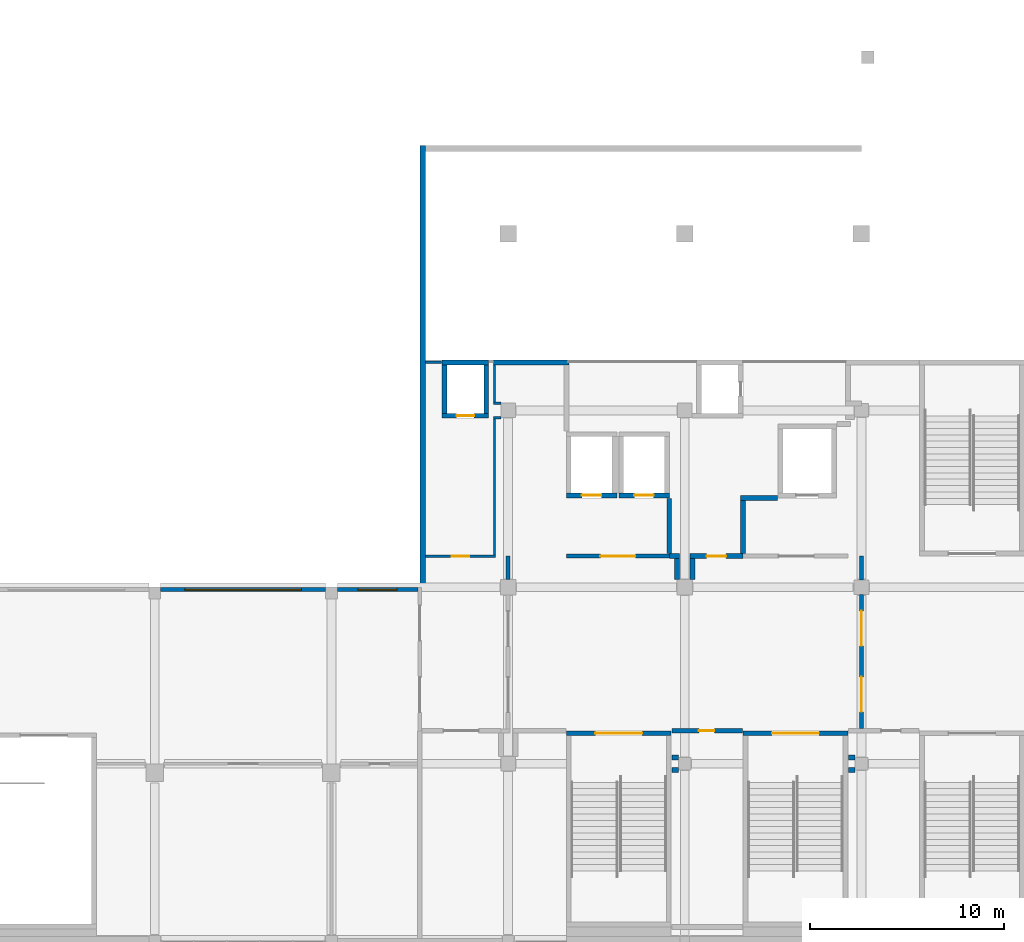
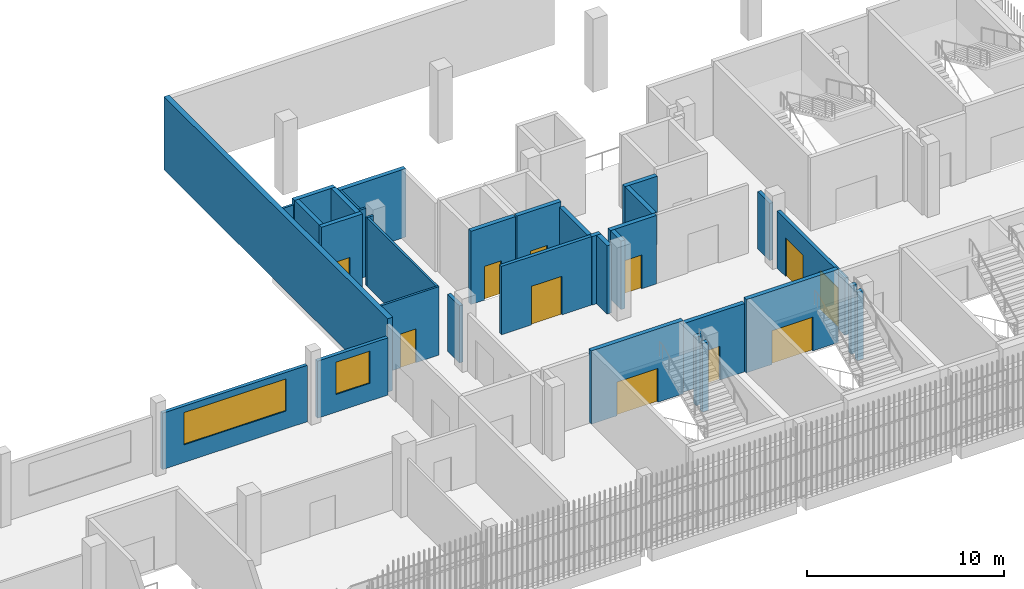
# One storey, part 58 of 104: 34 walls, 11 doors, 2 windows, 13 openings.
"""IFC4 building model written with IfcOpenShell, lengths in metres."""

from ifc_helpers import new_model, si_unit, direction, frame, frame_2d, origin, place, context, subcontext, project, spatial, rectangle, extrude, material, layer, layer_set, type_object, element, fill, save


model = new_model("IFC4")

# Units and contexts
model_context = context("Model", 3, precision=1e-05, world=origin(), true_north=direction((0.0, 1.0)))
body_context = subcontext(model_context, "Body", "Model", "MODEL_VIEW")
ifc_project = project(units=[si_unit("LENGTHUNIT", "METRE"), si_unit("AREAUNIT", "SQUARE_METRE"), si_unit("VOLUMEUNIT", "CUBIC_METRE"), si_unit("PLANEANGLEUNIT", "RADIAN"), si_unit("MASSUNIT", "GRAM", prefix="KILO")], contexts=[model_context])

# Site, building, storey
site_placement = place(None, origin())
site = spatial("IfcSite", under=ifc_project, at=site_placement, CompositionType="ELEMENT")
building_placement = place(site_placement, origin())
building = spatial("IfcBuilding", under=site, at=building_placement, Name="Shirokan Park Arena", CompositionType="ELEMENT")
storey_placement = place(building_placement, frame((0.0, 0.0, 10.919921875)))
storey = spatial("IfcBuildingStorey", under=building, at=storey_placement, Name="L02", CompositionType="ELEMENT", Elevation=10.919921875)

# Wall, opening, window
ifc_material_1 = material(Name="Cedar timber lining", Category="wood")
ifc_layer_1 = layer(ifc_material_1, 0.02001953125, Name="Cedar timber lining")
ifc_material_2 = material(Name="Plywood", Category="wood")
ifc_layer_2 = layer(ifc_material_2, 0.01806640625, Name="Plywood")
ifc_material_3 = material(Name="Mineral wool insulation")
ifc_layer_3 = layer(ifc_material_3, 0.14208984375, Name="Mineral wool insulation")
ifc_material_4 = material(Name="Gypsum board")
ifc_layer_4 = layer(ifc_material_4, 0.02001953125, Name="Gypsum board")
ifc_layer_set_1 = layer_set([ifc_layer_1, ifc_layer_2, ifc_layer_3, ifc_layer_4], Name="Cedar timber lining + Plywood + Mineral wool insulation + Gypsum board")
wall_type_1 = type_object("IfcWallType", Name="Bowl front wall 200", PredefinedType="PARTITIONING", material=ifc_layer_set_1)
wall_1_placement = place(storey_placement, frame((91.300048828125, 18.070068359375, 0.0), z_axis=(0.0, 0.0, 1.0), x_axis=(1.0, 0.0, 0.0)))
wall_1 = element("IfcWall", 1, at=wall_1_placement, inside=storey, type_object=wall_type_1, Name="Bowl front wall 200 L02", PredefinedType="PARTITIONING", context=body_context, shape_type="SweptSolid", body=[
    extrude(rectangle(XDim=8.5, YDim=0.199951171875, at=frame_2d((4.25, 0.0))), origin(), (0.0, 0.0, 1.0), 3.5),
])
opening_1_placement = place(wall_1_placement, frame((1.25, 0.0, 1.10009765625)))
opening_1 = element("IfcOpeningElement", 2, at=opening_1_placement, cuts=wall_1, Name="Opening W6", PredefinedType="OPENING", context=body_context, shape_type="SweptSolid", body=[
    extrude(rectangle(XDim=6.0, YDim=2.0, at=frame_2d((3.0, 1.0))), frame((0.0, 0.10986328125, 0.0), z_axis=(0.0, -1.0, 0.0), x_axis=(1.0, 0.0, 0.0)), (0.0, 0.0, 1.0), 0.219970703125),
])
ifc_material_5 = material(Name="Aluminium frame with laminated glass", Category="aluminium")
window_type_1 = type_object("IfcWindowType", Name="Lounge viewing window 6000 x 2000", PartitioningType="SINGLE_PANEL", PredefinedType="WINDOW", material=ifc_material_5)
window_1_placement = place(opening_1_placement, origin())
window_1 = element("IfcWindow", 3, at=window_1_placement, inside=storey, type_object=window_type_1, Name="Lounge viewing window 6000 x 2000 L02", OverallHeight=2.0, OverallWidth=6.0, PartitioningType="SINGLE_PANEL", PredefinedType="WINDOW", context=body_context, shape_type="SweptSolid", body=[
    extrude(rectangle(XDim=6.0, YDim=2.0, at=frame_2d((3.0, 1.0))), frame((0.0, 0.030029296875, 0.0), z_axis=(0.0, -1.0, 0.0), x_axis=(1.0, 0.0, 0.0)), (0.0, 0.0, 1.0), 0.06005859375),
])
fill(opening_1, window_1)

wall_2_placement = place(storey_placement, frame((100.39990234375, 18.070068359375, 0.0), z_axis=(0.0, 0.0, 1.0), x_axis=(1.0, 0.0, 0.0)))
wall_2 = element("IfcWall", 4, at=wall_2_placement, inside=storey, type_object=wall_type_1, Name="Bowl front wall 200 L02", PredefinedType="PARTITIONING", context=body_context, shape_type="SweptSolid", body=[
    extrude(rectangle(XDim=4.150146484375, YDim=0.199951171875, at=frame_2d((2.0751953125, 0.0))), origin(), (0.0, 0.0, 1.0), 3.550048828125),
])
opening_2_placement = place(wall_2_placement, frame((1.074951171875, 0.0, 1.10009765625)))
opening_2 = element("IfcOpeningElement", 5, at=opening_2_placement, cuts=wall_2, Name="Opening W5", PredefinedType="OPENING", context=body_context, shape_type="SweptSolid", body=[
    extrude(rectangle(XDim=2.0, YDim=2.0, at=frame_2d((1.0, 1.0))), frame((0.0, 0.10986328125, 0.0), z_axis=(0.0, -1.0, 0.0), x_axis=(1.0, 0.0, 0.0)), (0.0, 0.0, 1.0), 0.219970703125),
])
window_type_2 = type_object("IfcWindowType", Name="Lounge viewing window 2000 x 2000", PartitioningType="SINGLE_PANEL", PredefinedType="WINDOW", material=ifc_material_5)
window_2_placement = place(opening_2_placement, origin())
window_2 = element("IfcWindow", 6, at=window_2_placement, inside=storey, type_object=window_type_2, Name="Lounge viewing window 2000 x 2000 L02", OverallHeight=2.0, OverallWidth=2.0, PartitioningType="SINGLE_PANEL", PredefinedType="WINDOW", context=body_context, shape_type="SweptSolid", body=[
    extrude(rectangle(XDim=2.0, YDim=2.0, at=frame_2d((1.0, 1.0))), frame((0.0, 0.030029296875, 0.0), z_axis=(0.0, -1.0, 0.0), x_axis=(1.0, 0.0, 0.0)), (0.0, 0.0, 1.0), 0.06005859375),
])
fill(opening_2, window_2)

# Walls
ifc_material_6 = material(Name="Plaster")
ifc_layer_5 = layer(ifc_material_6, 0.014892578125, Name="Plaster")
ifc_material_7 = material(Name="Concrete blockwork", Category="masonry")
ifc_layer_6 = layer(ifc_material_7, 0.219970703125, Name="Concrete blockwork 220")
ifc_layer_7 = layer(ifc_material_6, 0.014892578125, Name="Plaster")
ifc_layer_set_2 = layer_set([ifc_layer_5, ifc_layer_6, ifc_layer_7], Name="Plaster + Concrete blockwork 220")
wall_type_2 = type_object("IfcWallType", Name="Compartment wall 250", PredefinedType="SOLIDWALL", material=ifc_layer_set_2)
wall_3_placement = place(storey_placement, frame((112.324951171875, 29.77490234375, 0.0), z_axis=(0.0, 0.0, 1.0), x_axis=(-1.0, 0.0, 0.0)))
element("IfcWall", 7, at=wall_3_placement, inside=storey, type_object=wall_type_2, Name="Compartment wall 250 L02", PredefinedType="SOLIDWALL", context=body_context, shape_type="SweptSolid", body=[
    extrude(rectangle(XDim=3.887451171875, YDim=0.25, at=frame_2d((1.94384765625, 0.0))), origin(), (0.0, 0.0, 1.0), 4.25),
])
wall_4_placement = place(storey_placement, frame((117.5, 19.800048828125, 0.0), z_axis=(0.0, 0.0, 1.0), x_axis=(1.0, 0.0, 0.0)))
element("IfcWall", 8, at=wall_4_placement, inside=storey, type_object=wall_type_2, Name="Compartment wall 250 L02", PredefinedType="SOLIDWALL", context=body_context, shape_type="SweptSolid", body=[
    extrude(rectangle(XDim=0.52490234375, YDim=0.25, at=frame_2d((0.262451171875, 0.0))), origin(), (0.0, 0.0, 1.0), 4.25),
])
wall_5_placement = place(storey_placement, frame((117.5, 19.925048828125, 0.0), z_axis=(0.0, 0.0, 1.0), x_axis=(0.0, 1.0, 0.0)))
element("IfcWall", 9, at=wall_5_placement, inside=storey, type_object=wall_type_2, Name="Compartment wall 250 L02", PredefinedType="SOLIDWALL", context=body_context, shape_type="SweptSolid", body=[
    extrude(rectangle(XDim=2.844970703125, YDim=0.25, at=frame_2d((1.42236328125, 0.0))), origin(), (0.0, 0.0, 1.0), 4.25),
])
wall_6_placement = place(storey_placement, frame((117.6298828125, 8.77490234375, 0.0), z_axis=(0.0, 0.0, 1.0), x_axis=(1.0, 0.0, 0.0)))
element("IfcWall", 10, at=wall_6_placement, inside=storey, type_object=wall_type_2, Name="Compartment wall 250 L02", PredefinedType="SOLIDWALL", context=body_context, shape_type="SweptSolid", body=[
    extrude(rectangle(XDim=0.34521484375, YDim=0.25, at=frame_2d((0.172607421875, 0.0))), origin(), (0.0, 0.0, 1.0), 4.25),
])
wall_7_placement = place(storey_placement, frame((117.89990234375, 19.675048828125, 0.0), z_axis=(0.0, 0.0, 1.0), x_axis=(0.0, -1.0, 0.0)))
element("IfcWall", 11, at=wall_7_placement, inside=storey, type_object=wall_type_2, Name="Compartment wall 250 L02", PredefinedType="SOLIDWALL", context=body_context, shape_type="SweptSolid", body=[
    extrude(rectangle(XDim=1.074951171875, YDim=0.25, at=frame_2d((0.53759765625, 0.0))), origin(), (0.0, 0.0, 1.0), 4.25),
])
wall_8_placement = place(storey_placement, frame((117.97509765625, 9.425048828125, 0.0), z_axis=(0.0, 0.0, 1.0), x_axis=(-1.0, 0.0, 0.0)))
element("IfcWall", 12, at=wall_8_placement, inside=storey, type_object=wall_type_2, Name="Compartment wall 250 L02", PredefinedType="SOLIDWALL", context=body_context, shape_type="SweptSolid", body=[
    extrude(rectangle(XDim=0.34521484375, YDim=0.25, at=frame_2d((0.172607421875, 0.0))), origin(), (0.0, 0.0, 1.0), 4.25),
])

# Wall, opening, door
wall_9_placement = place(storey_placement, frame((118.574951171875, 19.800048828125, 0.0), z_axis=(0.0, 0.0, 1.0), x_axis=(1.0, 0.0, 0.0)))
wall_9 = element("IfcWall", 13, at=wall_9_placement, inside=storey, type_object=wall_type_2, Name="Compartment wall 250 L02", PredefinedType="SOLIDWALL", context=body_context, shape_type="SweptSolid", body=[
    extrude(rectangle(XDim=2.72509765625, YDim=0.25, at=frame_2d((1.362548828125, 0.0))), origin(), (0.0, 0.0, 1.0), 4.25),
])
opening_3_placement = place(wall_9_placement, frame((0.85009765625, 0.0, 0.0)))
opening_3 = element("IfcOpeningElement", 14, at=opening_3_placement, cuts=wall_9, Name="Opening D-2011", PredefinedType="OPENING", context=body_context, shape_type="SweptSolid", body=[
    extrude(rectangle(XDim=1.0, YDim=2.10009765625, at=frame_2d((0.5, 1.050048828125))), frame((0.0, 0.135009765625, 0.0), z_axis=(0.0, -1.0, 0.0), x_axis=(1.0, 0.0, 0.0)), (0.0, 0.0, 1.0), 0.27001953125),
])
ifc_material_8 = material(Name="Timber door set, fire resisting", Category="wood")
door_type_1 = type_object("IfcDoorType", Name="Door 1000 x 2100", OperationType="SINGLE_SWING_LEFT", PredefinedType="DOOR", material=ifc_material_8)
door_1_placement = place(opening_3_placement, origin())
door_1 = element("IfcDoor", 15, at=door_1_placement, inside=storey, type_object=door_type_1, Name="Door to Club Linen Store 2.28 D-2011", OperationType="SINGLE_SWING_RIGHT", OverallHeight=2.10009765625, OverallWidth=1.0, PredefinedType="DOOR", context=body_context, shape_type="SweptSolid", body=[
    extrude(rectangle(XDim=1.0, YDim=2.10009765625, at=frame_2d((0.5, 1.050048828125))), frame((0.0, 0.02490234375, 0.0), z_axis=(0.0, -1.0, 0.0), x_axis=(1.0, 0.0, 0.0)), (0.0, 0.0, 1.0), 0.050048828125),
])
fill(opening_3, door_1)

# Wall
wall_10_placement = place(storey_placement, frame((118.699951171875, 18.60009765625, 0.0), z_axis=(0.0, 0.0, 1.0), x_axis=(0.0, 1.0, 0.0)))
element("IfcWall", 16, at=wall_10_placement, inside=storey, type_object=wall_type_2, Name="Compartment wall 250 L02", PredefinedType="SOLIDWALL", context=body_context, shape_type="SweptSolid", body=[
    extrude(rectangle(XDim=1.074951171875, YDim=0.25, at=frame_2d((0.53759765625, 0.0))), origin(), (0.0, 0.0, 1.0), 4.25),
])

# Wall, opening, door
wall_11_placement = place(storey_placement, frame((121.27001953125, 10.800048828125, 0.0), z_axis=(0.0, 0.0, 1.0), x_axis=(-1.0, 0.0, 0.0)))
wall_11 = element("IfcWall", 17, at=wall_11_placement, inside=storey, type_object=wall_type_2, Name="Compartment wall 250 L02", PredefinedType="SOLIDWALL", context=body_context, shape_type="SweptSolid", body=[
    extrude(rectangle(XDim=3.64013671875, YDim=0.25, at=frame_2d((1.820068359375, 0.0))), origin(), (0.0, 0.0, 1.0), 4.25),
])
opening_4_placement = place(wall_11_placement, frame((1.449951171875, 0.0, 0.0)))
opening_4 = element("IfcOpeningElement", 18, at=opening_4_placement, cuts=wall_11, Name="Opening D-2015", PredefinedType="OPENING", context=body_context, shape_type="SweptSolid", body=[
    extrude(rectangle(XDim=0.800048828125, YDim=2.10009765625, at=frame_2d((0.39990234375, 1.050048828125))), frame((0.0, 0.135009765625, 0.0), z_axis=(0.0, -1.0, 0.0), x_axis=(1.0, 0.0, 0.0)), (0.0, 0.0, 1.0), 0.27001953125),
])
door_type_2 = type_object("IfcDoorType", Name="Cleaner store door 800 x 2100", OperationType="SINGLE_SWING_LEFT", PredefinedType="DOOR", material=ifc_material_8)
door_2_placement = place(opening_4_placement, origin())
door_2 = element("IfcDoor", 19, at=door_2_placement, inside=storey, type_object=door_type_2, Name="Door to Cleaner's Store 2.22 D-2015", OperationType="SINGLE_SWING_LEFT", OverallHeight=2.10009765625, OverallWidth=0.800048828125, PredefinedType="DOOR", context=body_context, shape_type="SweptSolid", body=[
    extrude(rectangle(XDim=0.800048828125, YDim=2.10009765625, at=frame_2d((0.39990234375, 1.050048828125))), frame((0.0, 0.02490234375, 0.0), z_axis=(0.0, -1.0, 0.0), x_axis=(1.0, 0.0, 0.0)), (0.0, 0.0, 1.0), 0.050048828125),
])
fill(opening_4, door_2)

# Walls
wall_12_placement = place(storey_placement, frame((121.300048828125, 22.675048828125, 0.0), z_axis=(0.0, 0.0, 1.0), x_axis=(0.0, -1.0, 0.0)))
element("IfcWall", 20, at=wall_12_placement, inside=storey, type_object=wall_type_2, Name="Compartment wall 250 L02", PredefinedType="SOLIDWALL", context=body_context, shape_type="SweptSolid", body=[
    extrude(rectangle(XDim=2.75, YDim=0.25, at=frame_2d((1.375, 0.0))), origin(), (0.0, 0.0, 1.0), 4.25),
])
wall_13_placement = place(storey_placement, frame((123.070068359375, 22.800048828125, 0.0), z_axis=(0.0, 0.0, 1.0), x_axis=(-1.0, 0.0, 0.0)))
element("IfcWall", 21, at=wall_13_placement, inside=storey, type_object=wall_type_2, Name="Compartment wall 250 L02", PredefinedType="SOLIDWALL", context=body_context, shape_type="SweptSolid", body=[
    extrude(rectangle(XDim=1.89501953125, YDim=0.25, at=frame_2d((0.947509765625, 0.0))), origin(), (0.0, 0.0, 1.0), 4.25),
])
for number, where, z_axis, x_axis, name in (
    (22, (126.72998046875, 8.77490234375, 0.0), (0.0, 0.0, 1.0), (1.0, 0.0, 0.0), "Compartment wall 250 L02"),
    (23, (127.074951171875, 9.425048828125, 0.0), (0.0, 0.0, 1.0), (-1.0, 0.0, 0.0), "Compartment wall 250 L02"),
):
    element("IfcWall", number, at=place(storey_placement, frame(where, z_axis=z_axis, x_axis=x_axis)), inside=storey, type_object=wall_type_2, Name=name, PredefinedType="SOLIDWALL", context=body_context, shape_type="SweptSolid", body=[
        extrude(rectangle(XDim=0.344970703125, YDim=0.25, at=frame_2d((0.17236328125, 0.0))), origin(), (0.0, 0.0, 1.0), 4.25),
    ])
ifc_layer_8 = layer(ifc_material_4, 0.02490234375, Name="Gypsum board, two layers")
ifc_layer_9 = layer(ifc_material_3, 0.14990234375, Name="Mineral wool insulation")
ifc_layer_10 = layer(ifc_material_4, 0.02490234375, Name="Gypsum board, two layers")
ifc_layer_set_3 = layer_set([ifc_layer_8, ifc_layer_9, ifc_layer_10], Name="Gypsum board, two layers + Mineral wool insulation")
wall_type_3 = type_object("IfcWallType", Name="Corridor wall 200", PredefinedType="PARTITIONING", material=ifc_layer_set_3)
wall_14_placement = place(storey_placement, frame((109.199951171875, 18.60009765625, 0.0), z_axis=(0.0, 0.0, 1.0), x_axis=(0.0, 1.0, 0.0)))
element("IfcWall", 24, at=wall_14_placement, inside=storey, type_object=wall_type_3, Name="Corridor wall 200 L02", PredefinedType="PARTITIONING", context=body_context, shape_type="SweptSolid", body=[
    extrude(rectangle(XDim=1.199951171875, YDim=0.199951171875, at=frame_2d((0.60009765625, 0.0))), origin(), (0.0, 0.0, 1.0), 3.550048828125),
])

# Wall, opening, door
wall_15_placement = place(storey_placement, frame((112.199951171875, 19.800048828125, 0.0), z_axis=(0.0, 0.0, 1.0), x_axis=(1.0, 0.0, 0.0)))
wall_15 = element("IfcWall", 25, at=wall_15_placement, inside=storey, type_object=wall_type_3, Name="Corridor wall 200 L02", PredefinedType="PARTITIONING", context=body_context, shape_type="SweptSolid", body=[
    extrude(rectangle(XDim=5.300048828125, YDim=0.199951171875, at=frame_2d((2.64990234375, 0.0))), origin(), (0.0, 0.0, 1.0), 4.25),
])
opening_5_placement = place(wall_15_placement, frame((1.75, 0.0, 0.0)))
opening_5 = element("IfcOpeningElement", 26, at=opening_5_placement, cuts=wall_15, Name="Opening D-2059", PredefinedType="OPENING", context=body_context, shape_type="SweptSolid", body=[
    extrude(rectangle(XDim=1.800048828125, YDim=2.39990234375, at=frame_2d((0.89990234375, 1.199951171875))), frame((0.0, 0.10986328125, 0.0), z_axis=(0.0, -1.0, 0.0), x_axis=(1.0, 0.0, 0.0)), (0.0, 0.0, 1.0), 0.219970703125),
])
ifc_material_9 = material(Name="Glazed steel door set, fire resisting", Category="steel")
door_type_3 = type_object("IfcDoorType", Name="Lift lobby door 1800 x 2400", OperationType="DOUBLE_DOOR_SINGLE_SWING", PredefinedType="DOOR", material=ifc_material_9)
door_3_placement = place(opening_5_placement, origin())
door_3 = element("IfcDoor", 27, at=door_3_placement, inside=storey, type_object=door_type_3, Name="Door between Club Gallery 2.2.2 and Lift Lobby 2.2 D-2059", OperationType="DOUBLE_DOOR_SINGLE_SWING", OverallHeight=2.39990234375, OverallWidth=1.800048828125, PredefinedType="DOOR", context=body_context, shape_type="SweptSolid", body=[
    extrude(rectangle(XDim=1.800048828125, YDim=2.39990234375, at=frame_2d((0.89990234375, 1.199951171875))), frame((0.0, 0.02490234375, 0.0), z_axis=(0.0, -1.0, 0.0), x_axis=(1.0, 0.0, 0.0)), (0.0, 0.0, 1.0), 0.050048828125),
])
fill(opening_5, door_3)

# Wall, openings, doors
wall_16_placement = place(storey_placement, frame((127.39990234375, 10.925048828125, 0.0), z_axis=(0.0, 0.0, 1.0), x_axis=(0.0, 1.0, 0.0)))
wall_16 = element("IfcWall", 28, at=wall_16_placement, inside=storey, type_object=wall_type_3, Name="Corridor wall 200 L02", PredefinedType="PARTITIONING", context=body_context, shape_type="SweptSolid", body=[
    extrude(rectangle(XDim=6.89990234375, YDim=0.199951171875, at=frame_2d((3.449951171875, 0.0))), origin(), (0.0, 0.0, 1.0), 3.550048828125),
])
opening_6_placement = place(wall_16_placement, frame((0.85009765625, 0.0, 0.0)))
opening_6 = element("IfcOpeningElement", 29, at=opening_6_placement, cuts=wall_16, Name="Opening D-2055", PredefinedType="OPENING", context=body_context, shape_type="SweptSolid", body=[
    extrude(rectangle(XDim=1.800048828125, YDim=2.39990234375, at=frame_2d((0.89990234375, 1.199951171875))), frame((0.0, 0.10986328125, 0.0), z_axis=(0.0, -1.0, 0.0), x_axis=(1.0, 0.0, 0.0)), (0.0, 0.0, 1.0), 0.219970703125),
])
opening_7_placement = place(wall_16_placement, frame((4.25, 0.0, 0.0)))
opening_7 = element("IfcOpeningElement", 30, at=opening_7_placement, cuts=wall_16, Name="Opening D-2056", PredefinedType="OPENING", context=body_context, shape_type="SweptSolid", body=[
    extrude(rectangle(XDim=1.800048828125, YDim=2.39990234375, at=frame_2d((0.89990234375, 1.199951171875))), frame((0.0, 0.10986328125, 0.0), z_axis=(0.0, -1.0, 0.0), x_axis=(1.0, 0.0, 0.0)), (0.0, 0.0, 1.0), 0.219970703125),
])
door_4_placement = place(opening_6_placement, origin())
door_4 = element("IfcDoor", 31, at=door_4_placement, inside=storey, type_object=door_type_3, Name="Door between Lounge Lobby 2.2.1 and Club Gallery 2.2.2 D-2055", OperationType="DOUBLE_DOOR_SINGLE_SWING", OverallHeight=2.39990234375, OverallWidth=1.800048828125, PredefinedType="DOOR", context=body_context, shape_type="SweptSolid", body=[
    extrude(rectangle(XDim=1.800048828125, YDim=2.39990234375, at=frame_2d((0.89990234375, 1.199951171875))), frame((0.0, 0.02490234375, 0.0), z_axis=(0.0, -1.0, 0.0), x_axis=(1.0, 0.0, 0.0)), (0.0, 0.0, 1.0), 0.050048828125),
])
fill(opening_6, door_4)
door_5_placement = place(opening_7_placement, origin())
door_5 = element("IfcDoor", 32, at=door_5_placement, inside=storey, type_object=door_type_3, Name="Door between Lounge Lobby 2.2.1 and Club Gallery 2.2.2 D-2056", OperationType="DOUBLE_DOOR_SINGLE_SWING", OverallHeight=2.39990234375, OverallWidth=1.800048828125, PredefinedType="DOOR", context=body_context, shape_type="SweptSolid", body=[
    extrude(rectangle(XDim=1.800048828125, YDim=2.39990234375, at=frame_2d((0.89990234375, 1.199951171875))), frame((0.0, 0.02490234375, 0.0), z_axis=(0.0, -1.0, 0.0), x_axis=(1.0, 0.0, 0.0)), (0.0, 0.0, 1.0), 0.050048828125),
])
fill(opening_7, door_5)

# Walls
wall_17_placement = place(storey_placement, frame((127.39990234375, 18.574951171875, 0.0), z_axis=(0.0, 0.0, 1.0), x_axis=(0.0, 1.0, 0.0)))
element("IfcWall", 33, at=wall_17_placement, inside=storey, type_object=wall_type_3, Name="Corridor wall 200 L02", PredefinedType="PARTITIONING", context=body_context, shape_type="SweptSolid", body=[
    extrude(rectangle(XDim=1.22509765625, YDim=0.199951171875, at=frame_2d((0.612548828125, 0.0))), origin(), (0.0, 0.0, 1.0), 3.550048828125),
])
ifc_material_10 = material(Name="Concrete C35", Category="concrete")
ifc_layer_11 = layer(ifc_material_10, 0.300048828125)
ifc_layer_set_4 = layer_set([ifc_layer_11], Name="Concrete C35 300 mm")
wall_type_4 = type_object("IfcWallType", Name="RC flank wall 300", PredefinedType="SHEAR", material=ifc_layer_set_4)
wall_18_placement = place(storey_placement, frame((104.800048828125, 40.949951171875, 0.0), z_axis=(0.0, 0.0, 1.0), x_axis=(0.0, -1.0, 0.0)))
element("IfcWall", 34, at=wall_18_placement, inside=storey, type_object=wall_type_4, Name="Flank wall S2 L02", PredefinedType="SHEAR", context=body_context, shape_type="SweptSolid", body=[
    extrude(rectangle(XDim=22.75, YDim=0.300048828125, at=frame_2d((11.375, 0.0))), origin(), (0.0, 0.0, 1.0), 4.550048828125),
])

# Wall, opening, door
ifc_material_11 = material(Name="Concrete C40/50", Category="concrete")
ifc_layer_12 = layer(ifc_material_11, 0.25)
ifc_layer_set_5 = layer_set([ifc_layer_12], Name="Concrete C40/50 250 mm")
wall_type_5 = type_object("IfcWallType", Name="RC shear wall 250", PredefinedType="SHEAR", material=ifc_layer_set_5)
wall_19_placement = place(storey_placement, frame((117.5, 22.925048828125, 0.0), z_axis=(0.0, 0.0, 1.0), x_axis=(-1.0, 0.0, 0.0)))
wall_19 = element("IfcWall", 35, at=wall_19_placement, inside=storey, type_object=wall_type_5, Name="Shaft wall Passenger Lift 2.1 S L02", PredefinedType="SHEAR", context=body_context, shape_type="SweptSolid", body=[
    extrude(rectangle(XDim=2.60009765625, YDim=0.25, at=frame_2d((1.300048828125, 0.0))), origin(), (0.0, 0.0, 1.0), 4.550048828125),
])
opening_8_placement = place(wall_19_placement, frame((0.800048828125, 0.0, 0.0)))
opening_8 = element("IfcOpeningElement", 36, at=opening_8_placement, cuts=wall_19, Name="Opening LD15", PredefinedType="OPENING", context=body_context, shape_type="SweptSolid", body=[
    extrude(rectangle(XDim=1.0, YDim=2.10009765625, at=frame_2d((0.5, 1.050048828125))), frame((0.0, 0.135009765625, 0.0), z_axis=(0.0, -1.0, 0.0), x_axis=(1.0, 0.0, 0.0)), (0.0, 0.0, 1.0), 0.27001953125),
])
ifc_material_12 = material(Name="Stainless steel", Category="steel")
door_type_4 = type_object("IfcDoorType", Name="Lift landing door 1000x2100", OperationType="DOUBLE_DOOR_SLIDING", PredefinedType="DOOR", material=ifc_material_12)
door_6_placement = place(opening_8_placement, origin())
door_6 = element("IfcDoor", 37, at=door_6_placement, inside=storey, type_object=door_type_4, Name="Lift landing door Passenger Lift 2.1 L02", OperationType="DOUBLE_DOOR_SLIDING", OverallHeight=2.10009765625, OverallWidth=1.0, PredefinedType="DOOR", context=body_context, shape_type="SweptSolid", body=[
    extrude(rectangle(XDim=1.0, YDim=2.10009765625, at=frame_2d((0.5, 1.050048828125))), frame((0.0, 0.02490234375, 0.0), z_axis=(0.0, -1.0, 0.0), x_axis=(1.0, 0.0, 0.0)), (0.0, 0.0, 1.0), 0.050048828125),
])
fill(opening_8, door_6)

wall_20_placement = place(storey_placement, frame((114.800048828125, 22.925048828125, 0.0), z_axis=(0.0, 0.0, 1.0), x_axis=(-1.0, 0.0, 0.0)))
wall_20 = element("IfcWall", 38, at=wall_20_placement, inside=storey, type_object=wall_type_5, Name="Shaft wall Passenger Lift 2.2 S L02", PredefinedType="SHEAR", context=body_context, shape_type="SweptSolid", body=[
    extrude(rectangle(XDim=2.60009765625, YDim=0.25, at=frame_2d((1.300048828125, 0.0))), origin(), (0.0, 0.0, 1.0), 4.550048828125),
])
opening_9_placement = place(wall_20_placement, frame((0.800048828125, 0.0, 0.0)))
opening_9 = element("IfcOpeningElement", 39, at=opening_9_placement, cuts=wall_20, Name="Opening LD21", PredefinedType="OPENING", context=body_context, shape_type="SweptSolid", body=[
    extrude(rectangle(XDim=1.0, YDim=2.10009765625, at=frame_2d((0.5, 1.050048828125))), frame((0.0, 0.135009765625, 0.0), z_axis=(0.0, -1.0, 0.0), x_axis=(1.0, 0.0, 0.0)), (0.0, 0.0, 1.0), 0.27001953125),
])
door_7_placement = place(opening_9_placement, origin())
door_7 = element("IfcDoor", 40, at=door_7_placement, inside=storey, type_object=door_type_4, Name="Lift landing door Passenger Lift 2.2 L02", OperationType="DOUBLE_DOOR_SLIDING", OverallHeight=2.10009765625, OverallWidth=1.0, PredefinedType="DOOR", context=body_context, shape_type="SweptSolid", body=[
    extrude(rectangle(XDim=1.0, YDim=2.10009765625, at=frame_2d((0.5, 1.050048828125))), frame((0.0, 0.02490234375, 0.0), z_axis=(0.0, -1.0, 0.0), x_axis=(1.0, 0.0, 0.0)), (0.0, 0.0, 1.0), 0.050048828125),
])
fill(opening_9, door_7)

wall_21_placement = place(storey_placement, frame((108.199951171875, 27.02490234375, 0.0), z_axis=(0.0, 0.0, 1.0), x_axis=(-1.0, 0.0, 0.0)))
wall_21 = element("IfcWall", 41, at=wall_21_placement, inside=storey, type_object=wall_type_5, Name="Shaft wall Services Riser 2.1 S L02", PredefinedType="SHEAR", context=body_context, shape_type="SweptSolid", body=[
    extrude(rectangle(XDim=2.39990234375, YDim=0.25, at=frame_2d((1.199951171875, 0.0))), origin(), (0.0, 0.0, 1.0), 4.550048828125),
])
opening_10_placement = place(wall_21_placement, frame((0.75, 0.0, 0.0)))
opening_10 = element("IfcOpeningElement", 42, at=opening_10_placement, cuts=wall_21, Name="Opening D-2085", PredefinedType="OPENING", context=body_context, shape_type="SweptSolid", body=[
    extrude(rectangle(XDim=0.89990234375, YDim=2.10009765625, at=frame_2d((0.449951171875, 1.050048828125))), frame((0.0, 0.135009765625, 0.0), z_axis=(0.0, -1.0, 0.0), x_axis=(1.0, 0.0, 0.0)), (0.0, 0.0, 1.0), 0.27001953125),
])
ifc_material_13 = material(Name="Steel door set, fire resisting", Category="steel")
door_type_5 = type_object("IfcDoorType", Name="Electrical riser door 900 x 2100", OperationType="SINGLE_SWING_LEFT", PredefinedType="DOOR", material=ifc_material_13)
door_8_placement = place(opening_10_placement, origin())
door_8 = element("IfcDoor", 43, at=door_8_placement, inside=storey, type_object=door_type_5, Name="Riser access door Services Riser 2.1 D-2085", OperationType="SINGLE_SWING_LEFT", OverallHeight=2.10009765625, OverallWidth=0.89990234375, PredefinedType="DOOR", context=body_context, shape_type="SweptSolid", body=[
    extrude(rectangle(XDim=0.89990234375, YDim=2.10009765625, at=frame_2d((0.449951171875, 1.050048828125))), frame((0.0, 0.02490234375, 0.0), z_axis=(0.0, -1.0, 0.0), x_axis=(1.0, 0.0, 0.0)), (0.0, 0.0, 1.0), 0.050048828125),
])
fill(opening_10, door_8)

# Walls
wall_22_placement = place(storey_placement, frame((108.199951171875, 29.77490234375, 0.0), z_axis=(0.0, 0.0, 1.0), x_axis=(-1.0, 0.0, 0.0)))
element("IfcWall", 44, at=wall_22_placement, inside=storey, type_object=wall_type_5, Name="Shaft wall Services Riser 2.1 N L02", PredefinedType="SHEAR", context=body_context, shape_type="SweptSolid", body=[
    extrude(rectangle(XDim=2.39990234375, YDim=0.25, at=frame_2d((1.199951171875, 0.0))), origin(), (0.0, 0.0, 1.0), 4.550048828125),
])
for number, where, z_axis, x_axis, name in (
    (45, (105.925048828125, 29.64990234375, 0.0), (0.0, 0.0, 1.0), (0.0, -1.0, 0.0), "Shaft wall Services Riser 2.1 W L02"),
    (46, (108.074951171875, 29.64990234375, 0.0), (0.0, 0.0, 1.0), (0.0, -1.0, 0.0), "Shaft wall Services Riser 2.1 E L02"),
):
    element("IfcWall", number, at=place(storey_placement, frame(where, z_axis=z_axis, x_axis=x_axis)), inside=storey, type_object=wall_type_5, Name=name, PredefinedType="SHEAR", context=body_context, shape_type="SweptSolid", body=[
        extrude(rectangle(XDim=2.5, YDim=0.25, at=frame_2d((1.25, 0.0))), origin(), (0.0, 0.0, 1.0), 4.550048828125),
    ])

# Wall, opening, door
wall_23_placement = place(storey_placement, frame((126.699951171875, 10.675048828125, 0.0), z_axis=(0.0, 0.0, 1.0), x_axis=(-1.0, 0.0, 0.0)))
wall_23 = element("IfcWall", 47, at=wall_23_placement, inside=storey, type_object=wall_type_5, Name="Shaft wall Exit Stair 2.C N L02", PredefinedType="SHEAR", context=body_context, shape_type="SweptSolid", body=[
    extrude(rectangle(XDim=5.39990234375, YDim=0.25, at=frame_2d((2.699951171875, 0.0))), origin(), (0.0, 0.0, 1.0), 4.550048828125),
])
opening_11_placement = place(wall_23_placement, frame((1.5, 0.0, 0.0)))
opening_11 = element("IfcOpeningElement", 48, at=opening_11_placement, cuts=wall_23, Name="Opening D-2096", PredefinedType="OPENING", context=body_context, shape_type="SweptSolid", body=[
    extrude(rectangle(XDim=2.39990234375, YDim=2.10009765625, at=frame_2d((1.199951171875, 1.050048828125))), frame((0.0, 0.135009765625, 0.0), z_axis=(0.0, -1.0, 0.0), x_axis=(1.0, 0.0, 0.0)), (0.0, 0.0, 1.0), 0.27001953125),
])
door_type_6 = type_object("IfcDoorType", Name="Stair door 2400 x 2100", OperationType="DOUBLE_DOOR_SINGLE_SWING", PredefinedType="DOOR", material=ifc_material_13)
door_9_placement = place(opening_11_placement, origin())
door_9 = element("IfcDoor", 49, at=door_9_placement, inside=storey, type_object=door_type_6, Name="Stair door Exit Stair 2.C D-2096", OperationType="DOUBLE_DOOR_SINGLE_SWING", OverallHeight=2.10009765625, OverallWidth=2.39990234375, PredefinedType="DOOR", context=body_context, shape_type="SweptSolid", body=[
    extrude(rectangle(XDim=2.39990234375, YDim=2.10009765625, at=frame_2d((1.199951171875, 1.050048828125))), frame((0.0, 0.02490234375, 0.0), z_axis=(0.0, -1.0, 0.0), x_axis=(1.0, 0.0, 0.0)), (0.0, 0.0, 1.0), 0.050048828125),
])
fill(opening_11, door_9)

wall_24_placement = place(storey_placement, frame((117.60009765625, 10.675048828125, 0.0), z_axis=(0.0, 0.0, 1.0), x_axis=(-1.0, 0.0, 0.0)))
wall_24 = element("IfcWall", 50, at=wall_24_placement, inside=storey, type_object=wall_type_5, Name="Shaft wall Exit Stair 2.D N L02", PredefinedType="SHEAR", context=body_context, shape_type="SweptSolid", body=[
    extrude(rectangle(XDim=5.400146484375, YDim=0.25, at=frame_2d((2.7001953125, 0.0))), origin(), (0.0, 0.0, 1.0), 4.550048828125),
])
opening_12_placement = place(wall_24_placement, frame((1.5, 0.0, 0.0)))
opening_12 = element("IfcOpeningElement", 51, at=opening_12_placement, cuts=wall_24, Name="Opening D-2097", PredefinedType="OPENING", context=body_context, shape_type="SweptSolid", body=[
    extrude(rectangle(XDim=2.39990234375, YDim=2.10009765625, at=frame_2d((1.199951171875, 1.050048828125))), frame((0.0, 0.135009765625, 0.0), z_axis=(0.0, -1.0, 0.0), x_axis=(1.0, 0.0, 0.0)), (0.0, 0.0, 1.0), 0.27001953125),
])
door_10_placement = place(opening_12_placement, origin())
door_10 = element("IfcDoor", 52, at=door_10_placement, inside=storey, type_object=door_type_6, Name="Stair door Exit Stair 2.D D-2097", OperationType="DOUBLE_DOOR_SINGLE_SWING", OverallHeight=2.10009765625, OverallWidth=2.39990234375, PredefinedType="DOOR", context=body_context, shape_type="SweptSolid", body=[
    extrude(rectangle(XDim=2.39990234375, YDim=2.10009765625, at=frame_2d((1.199951171875, 1.050048828125))), frame((0.0, 0.02490234375, 0.0), z_axis=(0.0, -1.0, 0.0), x_axis=(1.0, 0.0, 0.0)), (0.0, 0.0, 1.0), 0.050048828125),
])
fill(opening_12, door_10)

ifc_material_14 = material(Name="Ceramic tile")
ifc_layer_13 = layer(ifc_material_14, 0.010009765625, Name="Ceramic tile")
ifc_material_15 = material(Name="Cement board")
ifc_layer_14 = layer(ifc_material_15, 0.012451171875, Name="Cement board")
ifc_layer_15 = layer(ifc_material_3, 0.080078125, Name="Mineral wool insulation")
ifc_layer_16 = layer(ifc_material_15, 0.012451171875, Name="Cement board")
ifc_layer_17 = layer(ifc_material_14, 0.010009765625, Name="Ceramic tile")
ifc_layer_set_6 = layer_set([ifc_layer_13, ifc_layer_14, ifc_layer_15, ifc_layer_16, ifc_layer_17], Name="Ceramic tile + Cement board + Mineral wool insulation")
wall_type_6 = type_object("IfcWallType", Name="Wet-area wall 125", PredefinedType="PARTITIONING", material=ifc_layer_set_6)
wall_25_placement = place(storey_placement, frame((104.949951171875, 19.800048828125, 0.0), z_axis=(0.0, 0.0, 1.0), x_axis=(1.0, 0.0, 0.0)))
wall_25 = element("IfcWall", 53, at=wall_25_placement, inside=storey, type_object=wall_type_6, Name="Wet-area wall 125 L02", PredefinedType="PARTITIONING", context=body_context, shape_type="SweptSolid", body=[
    extrude(rectangle(XDim=3.612548828125, YDim=0.125, at=frame_2d((1.80615234375, 0.0))), origin(), (0.0, 0.0, 1.0), 4.25),
])
opening_13_placement = place(wall_25_placement, frame((1.35009765625, 0.0, 0.0)))
opening_13 = element("IfcOpeningElement", 54, at=opening_13_placement, cuts=wall_25, Name="Opening D-2012", PredefinedType="OPENING", context=body_context, shape_type="SweptSolid", body=[
    extrude(rectangle(XDim=0.89990234375, YDim=2.10009765625, at=frame_2d((0.449951171875, 1.050048828125))), frame((0.0, 0.072509765625, 0.0), z_axis=(0.0, -1.0, 0.0), x_axis=(1.0, 0.0, 0.0)), (0.0, 0.0, 1.0), 0.14501953125),
])
door_type_7 = type_object("IfcDoorType", Name="Door 900 x 2100", OperationType="SINGLE_SWING_LEFT", PredefinedType="DOOR", material=ifc_material_8)
door_11_placement = place(opening_13_placement, origin())
door_11 = element("IfcDoor", 55, at=door_11_placement, inside=storey, type_object=door_type_7, Name="Door to Staff WC 2.29 D-2012", OperationType="SINGLE_SWING_RIGHT", OverallHeight=2.10009765625, OverallWidth=0.89990234375, PredefinedType="DOOR", context=body_context, shape_type="SweptSolid", body=[
    extrude(rectangle(XDim=0.89990234375, YDim=2.10009765625, at=frame_2d((0.449951171875, 1.050048828125))), frame((0.0, 0.02490234375, 0.0), z_axis=(0.0, -1.0, 0.0), x_axis=(1.0, 0.0, 0.0)), (0.0, 0.0, 1.0), 0.050048828125),
])
fill(opening_13, door_11)

# Walls
wall_26_placement = place(storey_placement, frame((104.949951171875, 29.77490234375, 0.0), z_axis=(0.0, 0.0, 1.0), x_axis=(1.0, 0.0, 0.0)))
element("IfcWall", 56, at=wall_26_placement, inside=storey, type_object=wall_type_6, Name="Wet-area wall 125 L02", PredefinedType="PARTITIONING", context=body_context, shape_type="SweptSolid", body=[
    extrude(rectangle(XDim=0.820068359375, YDim=0.125, at=frame_2d((0.41015625, 0.0))), origin(), (0.0, 0.0, 1.0), 4.25),
])
wall_27_placement = place(storey_placement, frame((108.4375, 26.925048828125, 0.0), z_axis=(0.0, 0.0, 1.0), x_axis=(1.0, 0.0, 0.0)))
element("IfcWall", 57, at=wall_27_placement, inside=storey, type_object=wall_type_6, Name="Wet-area wall 125 L02", PredefinedType="PARTITIONING", context=body_context, shape_type="SweptSolid", body=[
    extrude(rectangle(XDim=0.387451171875, YDim=0.125, at=frame_2d((0.19384765625, 0.0))), origin(), (0.0, 0.0, 1.0), 4.25),
])
wall_28_placement = place(storey_placement, frame((108.5, 19.862548828125, 0.0), z_axis=(0.0, 0.0, 1.0), x_axis=(0.0, 1.0, 0.0)))
element("IfcWall", 58, at=wall_28_placement, inside=storey, type_object=wall_type_6, Name="Wet-area wall 125 L02", PredefinedType="PARTITIONING", context=body_context, shape_type="SweptSolid", body=[
    extrude(rectangle(XDim=7.0, YDim=0.125, at=frame_2d((3.5, 0.0))), origin(), (0.0, 0.0, 1.0), 4.25),
])
wall_29_placement = place(storey_placement, frame((108.5, 27.737548828125, 0.0), z_axis=(0.0, 0.0, 1.0), x_axis=(0.0, 1.0, 0.0)))
element("IfcWall", 59, at=wall_29_placement, inside=storey, type_object=wall_type_6, Name="Wet-area wall 125 L02", PredefinedType="PARTITIONING", context=body_context, shape_type="SweptSolid", body=[
    extrude(rectangle(XDim=1.912353515625, YDim=0.125, at=frame_2d((0.9560546875, 0.0))), origin(), (0.0, 0.0, 1.0), 4.25),
])
wall_30_placement = place(storey_placement, frame((108.824951171875, 27.675048828125, 0.0), z_axis=(0.0, 0.0, 1.0), x_axis=(-1.0, 0.0, 0.0)))
element("IfcWall", 60, at=wall_30_placement, inside=storey, type_object=wall_type_6, Name="Wet-area wall 125 L02", PredefinedType="PARTITIONING", context=body_context, shape_type="SweptSolid", body=[
    extrude(rectangle(XDim=0.387451171875, YDim=0.125, at=frame_2d((0.19384765625, 0.0))), origin(), (0.0, 0.0, 1.0), 4.25),
])

save(model, "model.ifc")
